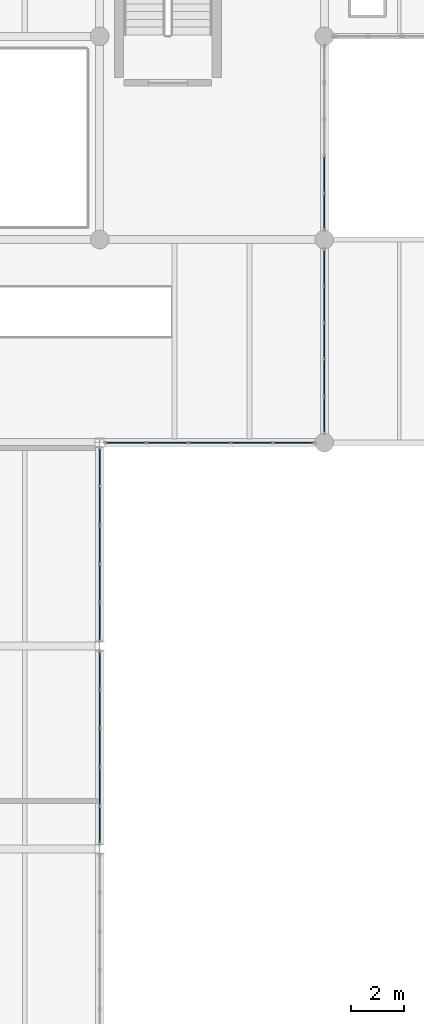
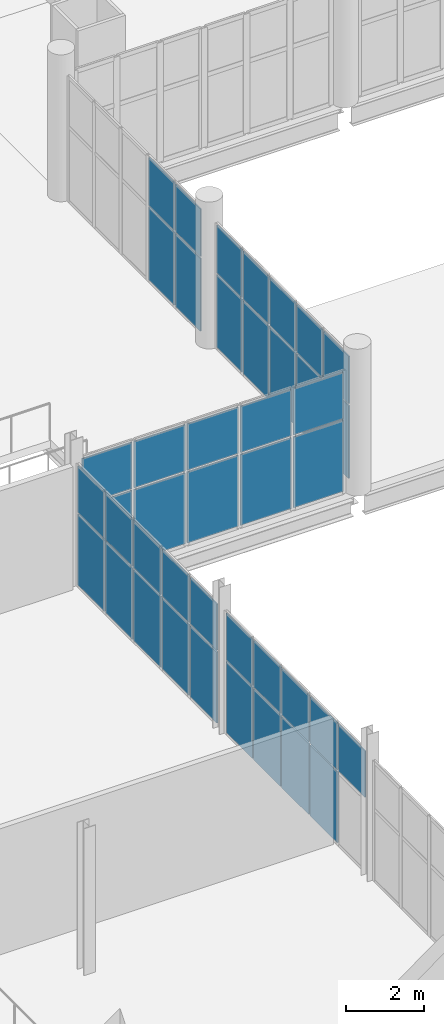
# One storey, part 99 of 136: 43 plates, 5 elements without a shape of their own.
"""IFC4 building model written with IfcOpenShell, lengths in metres."""

from ifc_helpers import new_model, si_unit, direction, frame, origin, origin_2d, place, context, subcontext, project, spatial, rectangle, extrude, material, layer, layer_set, type_object, element, aggregate, save


model = new_model("IFC4")

# Units and contexts
model_context = context("Model", 3, precision=1e-05, world=origin(), true_north=direction((0.0, 1.0)))
body_context = subcontext(model_context, "Body", "Model", "MODEL_VIEW")
ifc_project = project(units=[si_unit("LENGTHUNIT", "METRE"), si_unit("AREAUNIT", "SQUARE_METRE"), si_unit("VOLUMEUNIT", "CUBIC_METRE"), si_unit("PLANEANGLEUNIT", "RADIAN"), si_unit("MASSUNIT", "GRAM", prefix="KILO")], contexts=[model_context])

# Site, building, storey
site_placement = place(None, origin())
site = spatial("IfcSite", under=ifc_project, at=site_placement, CompositionType="ELEMENT")
building_placement = place(site_placement, origin())
building = spatial("IfcBuilding", under=site, at=building_placement, Name="Shengluoqiao Park Theatre", CompositionType="ELEMENT")
storey_placement = place(building_placement, frame((0.0, 0.0, 10.0)))
storey = spatial("IfcBuildingStorey", under=building, at=storey_placement, Name="L02", CompositionType="ELEMENT", Elevation=10.0)

# Curtain wall, plates
ifc_material_1 = material(Name="Aluminium 6063-T6", Category="aluminium")
curtain_wall_type_1 = type_object("IfcCurtainWallType", Name="ENV-CW-COURT", PredefinedType="NOTDEFINED", material=ifc_material_1)
curtain_wall_1_placement = place(storey_placement, origin())
curtain_wall_1 = element("IfcCurtainWall", 1, at=curtain_wall_1_placement, inside=storey, type_object=curtain_wall_type_1, Name="L02 Curtain Wall CWX-L02-0028", PredefinedType="NOTDEFINED")
ifc_material_2 = material(Name="Insulated glass", Category="glass")
ifc_layer = layer(ifc_material_2, 0.0380859375, Name="Insulated glass")
ifc_layer_set = layer_set([ifc_layer], Name="Insulated glass")
plate_type = type_object("IfcPlateType", Name="ENV-GLZ-GL-38", PredefinedType="CURTAIN_PANEL", material=ifc_layer_set)
plate_1_placement = place(storey_placement, frame((36.0, 38.915771484375, 2.33984375), z_axis=(0.0, 0.0, 1.0), x_axis=(0.0, 1.0, 0.0)))
plate_1 = element("IfcPlate", 2, at=plate_1_placement, type_object=plate_type, Name="CW-05 panel 1.2", PredefinedType="CURTAIN_PANEL", context=body_context, shape_type="SweptSolid", body=[
    extrude(rectangle(XDim=1.359619140625, YDim=0.0380859375, at=origin_2d()), origin(), (0.0, 0.0, 1.0), 1.449951171875),
])
plate_2_placement = place(storey_placement, frame((36.0, 40.350341796875, 0.06005859375), z_axis=(0.0, 0.0, 1.0), x_axis=(0.0, 1.0, 0.0)))
plate_2 = element("IfcPlate", 3, at=plate_2_placement, type_object=plate_type, Name="CW-05 panel 2.1", PredefinedType="CURTAIN_PANEL", context=body_context, shape_type="SweptSolid", body=[
    extrude(rectangle(XDim=1.3896484375, YDim=0.0380859375, at=origin_2d()), origin(), (0.0, 0.0, 1.0), 2.219970703125),
])
plate_3_placement = place(storey_placement, frame((36.0, 40.350341796875, 2.33984375), z_axis=(0.0, 0.0, 1.0), x_axis=(0.0, 1.0, 0.0)))
plate_3 = element("IfcPlate", 4, at=plate_3_placement, type_object=plate_type, Name="CW-05 panel 2.2", PredefinedType="CURTAIN_PANEL", context=body_context, shape_type="SweptSolid", body=[
    extrude(rectangle(XDim=1.3896484375, YDim=0.0380859375, at=origin_2d()), origin(), (0.0, 0.0, 1.0), 1.449951171875),
])
plate_4_placement = place(storey_placement, frame((36.0, 41.800048828125, 0.06005859375), z_axis=(0.0, 0.0, 1.0), x_axis=(0.0, 1.0, 0.0)))
plate_4 = element("IfcPlate", 5, at=plate_4_placement, type_object=plate_type, Name="CW-05 panel 3.1", PredefinedType="CURTAIN_PANEL", context=body_context, shape_type="SweptSolid", body=[
    extrude(rectangle(XDim=1.3896484375, YDim=0.0380859375, at=origin_2d()), origin(), (0.0, 0.0, 1.0), 2.219970703125),
])
plate_5_placement = place(storey_placement, frame((36.0, 41.800048828125, 2.33984375), z_axis=(0.0, 0.0, 1.0), x_axis=(0.0, 1.0, 0.0)))
plate_5 = element("IfcPlate", 6, at=plate_5_placement, type_object=plate_type, Name="CW-05 panel 3.2", PredefinedType="CURTAIN_PANEL", context=body_context, shape_type="SweptSolid", body=[
    extrude(rectangle(XDim=1.3896484375, YDim=0.0380859375, at=origin_2d()), origin(), (0.0, 0.0, 1.0), 1.449951171875),
])
plate_6_placement = place(storey_placement, frame((36.0, 43.24951171875, 0.06005859375), z_axis=(0.0, 0.0, 1.0), x_axis=(0.0, 1.0, 0.0)))
plate_6 = element("IfcPlate", 7, at=plate_6_placement, type_object=plate_type, Name="CW-05 panel 4.1", PredefinedType="CURTAIN_PANEL", context=body_context, shape_type="SweptSolid", body=[
    extrude(rectangle(XDim=1.3896484375, YDim=0.0380859375, at=origin_2d()), origin(), (0.0, 0.0, 1.0), 2.219970703125),
])
plate_7_placement = place(storey_placement, frame((36.0, 43.24951171875, 2.33984375), z_axis=(0.0, 0.0, 1.0), x_axis=(0.0, 1.0, 0.0)))
plate_7 = element("IfcPlate", 8, at=plate_7_placement, type_object=plate_type, Name="CW-05 panel 4.2", PredefinedType="CURTAIN_PANEL", context=body_context, shape_type="SweptSolid", body=[
    extrude(rectangle(XDim=1.3896484375, YDim=0.0380859375, at=origin_2d()), origin(), (0.0, 0.0, 1.0), 1.449951171875),
])
plate_8_placement = place(storey_placement, frame((36.0, 44.68408203125, 0.06005859375), z_axis=(0.0, 0.0, 1.0), x_axis=(0.0, 1.0, 0.0)))
plate_8 = element("IfcPlate", 9, at=plate_8_placement, type_object=plate_type, Name="CW-05 panel 5.1", PredefinedType="CURTAIN_PANEL", context=body_context, shape_type="SweptSolid", body=[
    extrude(rectangle(XDim=1.359619140625, YDim=0.0380859375, at=origin_2d()), origin(), (0.0, 0.0, 1.0), 2.219970703125),
])
plate_9_placement = place(storey_placement, frame((36.0, 44.68408203125, 2.33984375), z_axis=(0.0, 0.0, 1.0), x_axis=(0.0, 1.0, 0.0)))
plate_9 = element("IfcPlate", 10, at=plate_9_placement, type_object=plate_type, Name="CW-05 panel 5.2", PredefinedType="CURTAIN_PANEL", context=body_context, shape_type="SweptSolid", body=[
    extrude(rectangle(XDim=1.359619140625, YDim=0.0380859375, at=origin_2d()), origin(), (0.0, 0.0, 1.0), 1.449951171875),
])
aggregate(curtain_wall_1, [plate_1, plate_2, plate_3, plate_4, plate_5, plate_6, plate_7, plate_8, plate_9])

curtain_wall_2_placement = place(storey_placement, origin())
curtain_wall_2 = element("IfcCurtainWall", 11, at=curtain_wall_2_placement, inside=storey, type_object=curtain_wall_type_1, Name="L02 Curtain Wall CWX-L02-0029", PredefinedType="NOTDEFINED")
plate_10_placement = place(storey_placement, frame((36.0, 46.515869140625, 0.06005859375), z_axis=(0.0, 0.0, 1.0), x_axis=(0.0, 1.0, 0.0)))
plate_10 = element("IfcPlate", 12, at=plate_10_placement, type_object=plate_type, Name="CW-05 panel 1.1", PredefinedType="CURTAIN_PANEL", context=body_context, shape_type="SweptSolid", body=[
    extrude(rectangle(XDim=1.359619140625, YDim=0.0380859375, at=origin_2d()), origin(), (0.0, 0.0, 1.0), 2.219970703125),
])
plate_11_placement = place(storey_placement, frame((36.0, 46.515869140625, 2.33984375), z_axis=(0.0, 0.0, 1.0), x_axis=(0.0, 1.0, 0.0)))
plate_11 = element("IfcPlate", 13, at=plate_11_placement, type_object=plate_type, Name="CW-05 panel 1.2", PredefinedType="CURTAIN_PANEL", context=body_context, shape_type="SweptSolid", body=[
    extrude(rectangle(XDim=1.359619140625, YDim=0.0380859375, at=origin_2d()), origin(), (0.0, 0.0, 1.0), 1.449951171875),
])
plate_12_placement = place(storey_placement, frame((36.0, 47.950439453125, 0.06005859375), z_axis=(0.0, 0.0, 1.0), x_axis=(0.0, 1.0, 0.0)))
plate_12 = element("IfcPlate", 14, at=plate_12_placement, type_object=plate_type, Name="CW-05 panel 2.1", PredefinedType="CURTAIN_PANEL", context=body_context, shape_type="SweptSolid", body=[
    extrude(rectangle(XDim=1.3896484375, YDim=0.0380859375, at=origin_2d()), origin(), (0.0, 0.0, 1.0), 2.219970703125),
])
plate_13_placement = place(storey_placement, frame((36.0, 47.950439453125, 2.33984375), z_axis=(0.0, 0.0, 1.0), x_axis=(0.0, 1.0, 0.0)))
plate_13 = element("IfcPlate", 15, at=plate_13_placement, type_object=plate_type, Name="CW-05 panel 2.2", PredefinedType="CURTAIN_PANEL", context=body_context, shape_type="SweptSolid", body=[
    extrude(rectangle(XDim=1.3896484375, YDim=0.0380859375, at=origin_2d()), origin(), (0.0, 0.0, 1.0), 1.449951171875),
])
plate_14_placement = place(storey_placement, frame((36.0, 49.39990234375, 0.06005859375), z_axis=(0.0, 0.0, 1.0), x_axis=(0.0, 1.0, 0.0)))
plate_14 = element("IfcPlate", 16, at=plate_14_placement, type_object=plate_type, Name="CW-05 panel 3.1", PredefinedType="CURTAIN_PANEL", context=body_context, shape_type="SweptSolid", body=[
    extrude(rectangle(XDim=1.3896484375, YDim=0.0380859375, at=origin_2d()), origin(), (0.0, 0.0, 1.0), 2.219970703125),
])
plate_15_placement = place(storey_placement, frame((36.0, 49.39990234375, 2.33984375), z_axis=(0.0, 0.0, 1.0), x_axis=(0.0, 1.0, 0.0)))
plate_15 = element("IfcPlate", 17, at=plate_15_placement, type_object=plate_type, Name="CW-05 panel 3.2", PredefinedType="CURTAIN_PANEL", context=body_context, shape_type="SweptSolid", body=[
    extrude(rectangle(XDim=1.3896484375, YDim=0.0380859375, at=origin_2d()), origin(), (0.0, 0.0, 1.0), 1.449951171875),
])
plate_16_placement = place(storey_placement, frame((36.0, 50.849609375, 0.06005859375), z_axis=(0.0, 0.0, 1.0), x_axis=(0.0, 1.0, 0.0)))
plate_16 = element("IfcPlate", 18, at=plate_16_placement, type_object=plate_type, Name="CW-05 panel 4.1", PredefinedType="CURTAIN_PANEL", context=body_context, shape_type="SweptSolid", body=[
    extrude(rectangle(XDim=1.3896484375, YDim=0.0380859375, at=origin_2d()), origin(), (0.0, 0.0, 1.0), 2.219970703125),
])
plate_17_placement = place(storey_placement, frame((36.0, 50.849609375, 2.33984375), z_axis=(0.0, 0.0, 1.0), x_axis=(0.0, 1.0, 0.0)))
plate_17 = element("IfcPlate", 19, at=plate_17_placement, type_object=plate_type, Name="CW-05 panel 4.2", PredefinedType="CURTAIN_PANEL", context=body_context, shape_type="SweptSolid", body=[
    extrude(rectangle(XDim=1.3896484375, YDim=0.0380859375, at=origin_2d()), origin(), (0.0, 0.0, 1.0), 1.449951171875),
])
plate_18_placement = place(storey_placement, frame((36.0, 52.2841796875, 0.06005859375), z_axis=(0.0, 0.0, 1.0), x_axis=(0.0, 1.0, 0.0)))
plate_18 = element("IfcPlate", 20, at=plate_18_placement, type_object=plate_type, Name="CW-05 panel 5.1", PredefinedType="CURTAIN_PANEL", context=body_context, shape_type="SweptSolid", body=[
    extrude(rectangle(XDim=1.359619140625, YDim=0.0380859375, at=origin_2d()), origin(), (0.0, 0.0, 1.0), 2.219970703125),
])
plate_19_placement = place(storey_placement, frame((36.0, 52.2841796875, 2.33984375), z_axis=(0.0, 0.0, 1.0), x_axis=(0.0, 1.0, 0.0)))
plate_19 = element("IfcPlate", 21, at=plate_19_placement, type_object=plate_type, Name="CW-05 panel 5.2", PredefinedType="CURTAIN_PANEL", context=body_context, shape_type="SweptSolid", body=[
    extrude(rectangle(XDim=1.359619140625, YDim=0.0380859375, at=origin_2d()), origin(), (0.0, 0.0, 1.0), 1.449951171875),
])
aggregate(curtain_wall_2, [plate_10, plate_11, plate_12, plate_13, plate_14, plate_15, plate_16, plate_17, plate_18, plate_19])

curtain_wall_type_2 = type_object("IfcCurtainWallType", Name="ENV-CW-FOYER", PredefinedType="NOTDEFINED", material=ifc_material_1)
curtain_wall_3_placement = place(storey_placement, origin())
curtain_wall_3 = element("IfcCurtainWall", 22, at=curtain_wall_3_placement, inside=storey, type_object=curtain_wall_type_2, Name="L02 Curtain Wall CWX-L02-0214", PredefinedType="NOTDEFINED")
plate_20_placement = place(storey_placement, frame((36.979736328125, 53.199951171875, 0.06005859375), z_axis=(0.0, 0.0, 1.0), x_axis=(1.0, 0.0, 0.0)))
plate_20 = element("IfcPlate", 23, at=plate_20_placement, type_object=plate_type, Name="CW-01 panel 1.1", PredefinedType="CURTAIN_PANEL", context=body_context, shape_type="SweptSolid", body=[
    extrude(rectangle(XDim=1.483642578125, YDim=0.0380859375, at=origin_2d()), origin(), (0.0, 0.0, 1.0), 2.219970703125),
])
plate_21_placement = place(storey_placement, frame((36.979736328125, 53.199951171875, 2.33984375), z_axis=(0.0, 0.0, 1.0), x_axis=(1.0, 0.0, 0.0)))
plate_21 = element("IfcPlate", 24, at=plate_21_placement, type_object=plate_type, Name="CW-01 panel 1.2", PredefinedType="CURTAIN_PANEL", context=body_context, shape_type="SweptSolid", body=[
    extrude(rectangle(XDim=1.483642578125, YDim=0.0380859375, at=origin_2d()), origin(), (0.0, 0.0, 1.0), 1.449951171875),
])
plate_22_placement = place(storey_placement, frame((38.538330078125, 53.199951171875, 0.06005859375), z_axis=(0.0, 0.0, 1.0), x_axis=(1.0, 0.0, 0.0)))
plate_22 = element("IfcPlate", 25, at=plate_22_placement, type_object=plate_type, Name="CW-01 panel 2.1", PredefinedType="CURTAIN_PANEL", context=body_context, shape_type="SweptSolid", body=[
    extrude(rectangle(XDim=1.513671875, YDim=0.0380859375, at=origin_2d()), origin(), (0.0, 0.0, 1.0), 2.219970703125),
])
plate_23_placement = place(storey_placement, frame((38.538330078125, 53.199951171875, 2.33984375), z_axis=(0.0, 0.0, 1.0), x_axis=(1.0, 0.0, 0.0)))
plate_23 = element("IfcPlate", 26, at=plate_23_placement, type_object=plate_type, Name="CW-01 panel 2.2", PredefinedType="CURTAIN_PANEL", context=body_context, shape_type="SweptSolid", body=[
    extrude(rectangle(XDim=1.513671875, YDim=0.0380859375, at=origin_2d()), origin(), (0.0, 0.0, 1.0), 1.449951171875),
])
plate_24_placement = place(storey_placement, frame((40.112060546875, 53.199951171875, 0.06005859375), z_axis=(0.0, 0.0, 1.0), x_axis=(1.0, 0.0, 0.0)))
plate_24 = element("IfcPlate", 27, at=plate_24_placement, type_object=plate_type, Name="CW-01 panel 3.1", PredefinedType="CURTAIN_PANEL", context=body_context, shape_type="SweptSolid", body=[
    extrude(rectangle(XDim=1.513671875, YDim=0.0380859375, at=origin_2d()), origin(), (0.0, 0.0, 1.0), 2.219970703125),
])
plate_25_placement = place(storey_placement, frame((40.112060546875, 53.199951171875, 2.33984375), z_axis=(0.0, 0.0, 1.0), x_axis=(1.0, 0.0, 0.0)))
plate_25 = element("IfcPlate", 28, at=plate_25_placement, type_object=plate_type, Name="CW-01 panel 3.2", PredefinedType="CURTAIN_PANEL", context=body_context, shape_type="SweptSolid", body=[
    extrude(rectangle(XDim=1.513671875, YDim=0.0380859375, at=origin_2d()), origin(), (0.0, 0.0, 1.0), 1.449951171875),
])
plate_26_placement = place(storey_placement, frame((41.685546875, 53.199951171875, 0.06005859375), z_axis=(0.0, 0.0, 1.0), x_axis=(1.0, 0.0, 0.0)))
plate_26 = element("IfcPlate", 29, at=plate_26_placement, type_object=plate_type, Name="CW-01 panel 4.1", PredefinedType="CURTAIN_PANEL", context=body_context, shape_type="SweptSolid", body=[
    extrude(rectangle(XDim=1.513671875, YDim=0.0380859375, at=origin_2d()), origin(), (0.0, 0.0, 1.0), 2.219970703125),
])
plate_27_placement = place(storey_placement, frame((41.685546875, 53.199951171875, 2.33984375), z_axis=(0.0, 0.0, 1.0), x_axis=(1.0, 0.0, 0.0)))
plate_27 = element("IfcPlate", 30, at=plate_27_placement, type_object=plate_type, Name="CW-01 panel 4.2", PredefinedType="CURTAIN_PANEL", context=body_context, shape_type="SweptSolid", body=[
    extrude(rectangle(XDim=1.513671875, YDim=0.0380859375, at=origin_2d()), origin(), (0.0, 0.0, 1.0), 1.449951171875),
])
plate_28_placement = place(storey_placement, frame((43.244140625, 53.199951171875, 0.06005859375), z_axis=(0.0, 0.0, 1.0), x_axis=(1.0, 0.0, 0.0)))
plate_28 = element("IfcPlate", 31, at=plate_28_placement, type_object=plate_type, Name="CW-01 panel 5.1", PredefinedType="CURTAIN_PANEL", context=body_context, shape_type="SweptSolid", body=[
    extrude(rectangle(XDim=1.483642578125, YDim=0.0380859375, at=origin_2d()), origin(), (0.0, 0.0, 1.0), 2.219970703125),
])
plate_29_placement = place(storey_placement, frame((43.244140625, 53.199951171875, 2.33984375), z_axis=(0.0, 0.0, 1.0), x_axis=(1.0, 0.0, 0.0)))
plate_29 = element("IfcPlate", 32, at=plate_29_placement, type_object=plate_type, Name="CW-01 panel 5.2", PredefinedType="CURTAIN_PANEL", context=body_context, shape_type="SweptSolid", body=[
    extrude(rectangle(XDim=1.483642578125, YDim=0.0380859375, at=origin_2d()), origin(), (0.0, 0.0, 1.0), 1.449951171875),
])
aggregate(curtain_wall_3, [plate_20, plate_21, plate_22, plate_23, plate_24, plate_25, plate_26, plate_27, plate_28, plate_29])

curtain_wall_4_placement = place(storey_placement, origin())
curtain_wall_4 = element("IfcCurtainWall", 33, at=curtain_wall_4_placement, inside=storey, type_object=curtain_wall_type_1, Name="L02 Curtain Wall CWX-L02-0215", PredefinedType="NOTDEFINED")
plate_30_placement = place(storey_placement, frame((44.39990234375, 54.25830078125, 0.06005859375), z_axis=(0.0, 0.0, 1.0), x_axis=(0.0, 1.0, 0.0)))
plate_30 = element("IfcPlate", 34, at=plate_30_placement, type_object=plate_type, Name="CW-05 panel 1.1", PredefinedType="CURTAIN_PANEL", context=body_context, shape_type="SweptSolid", body=[
    extrude(rectangle(XDim=1.288330078125, YDim=0.0380859375, at=origin_2d()), origin(), (0.0, 0.0, 1.0), 2.279052734375),
])
plate_31_placement = place(storey_placement, frame((44.39990234375, 54.25830078125, 2.39892578125), z_axis=(0.0, 0.0, 1.0), x_axis=(0.0, 1.0, 0.0)))
plate_31 = element("IfcPlate", 35, at=plate_31_placement, type_object=plate_type, Name="CW-05 panel 1.2", PredefinedType="CURTAIN_PANEL", context=body_context, shape_type="SweptSolid", body=[
    extrude(rectangle(XDim=1.288330078125, YDim=0.0380859375, at=origin_2d()), origin(), (0.0, 0.0, 1.0), 1.489013671875),
])
plate_32_placement = place(storey_placement, frame((44.39990234375, 55.62158203125, 0.06005859375), z_axis=(0.0, 0.0, 1.0), x_axis=(0.0, 1.0, 0.0)))
plate_32 = element("IfcPlate", 36, at=plate_32_placement, type_object=plate_type, Name="CW-05 panel 2.1", PredefinedType="CURTAIN_PANEL", context=body_context, shape_type="SweptSolid", body=[
    extrude(rectangle(XDim=1.318359375, YDim=0.0380859375, at=origin_2d()), origin(), (0.0, 0.0, 1.0), 2.279052734375),
])
plate_33_placement = place(storey_placement, frame((44.39990234375, 55.62158203125, 2.39892578125), z_axis=(0.0, 0.0, 1.0), x_axis=(0.0, 1.0, 0.0)))
plate_33 = element("IfcPlate", 37, at=plate_33_placement, type_object=plate_type, Name="CW-05 panel 2.2", PredefinedType="CURTAIN_PANEL", context=body_context, shape_type="SweptSolid", body=[
    extrude(rectangle(XDim=1.318359375, YDim=0.0380859375, at=origin_2d()), origin(), (0.0, 0.0, 1.0), 1.489013671875),
])
plate_34_placement = place(storey_placement, frame((44.39990234375, 57.0, 0.06005859375), z_axis=(0.0, 0.0, 1.0), x_axis=(0.0, 1.0, 0.0)))
plate_34 = element("IfcPlate", 38, at=plate_34_placement, type_object=plate_type, Name="CW-05 panel 3.1", PredefinedType="CURTAIN_PANEL", context=body_context, shape_type="SweptSolid", body=[
    extrude(rectangle(XDim=1.318359375, YDim=0.0380859375, at=origin_2d()), origin(), (0.0, 0.0, 1.0), 2.279052734375),
])
plate_35_placement = place(storey_placement, frame((44.39990234375, 57.0, 2.39892578125), z_axis=(0.0, 0.0, 1.0), x_axis=(0.0, 1.0, 0.0)))
plate_35 = element("IfcPlate", 39, at=plate_35_placement, type_object=plate_type, Name="CW-05 panel 3.2", PredefinedType="CURTAIN_PANEL", context=body_context, shape_type="SweptSolid", body=[
    extrude(rectangle(XDim=1.318359375, YDim=0.0380859375, at=origin_2d()), origin(), (0.0, 0.0, 1.0), 1.489013671875),
])
plate_36_placement = place(storey_placement, frame((44.39990234375, 58.37841796875, 0.06005859375), z_axis=(0.0, 0.0, 1.0), x_axis=(0.0, 1.0, 0.0)))
plate_36 = element("IfcPlate", 40, at=plate_36_placement, type_object=plate_type, Name="CW-05 panel 4.1", PredefinedType="CURTAIN_PANEL", context=body_context, shape_type="SweptSolid", body=[
    extrude(rectangle(XDim=1.318359375, YDim=0.0380859375, at=origin_2d()), origin(), (0.0, 0.0, 1.0), 2.279052734375),
])
plate_37_placement = place(storey_placement, frame((44.39990234375, 58.37841796875, 2.39892578125), z_axis=(0.0, 0.0, 1.0), x_axis=(0.0, 1.0, 0.0)))
plate_37 = element("IfcPlate", 41, at=plate_37_placement, type_object=plate_type, Name="CW-05 panel 4.2", PredefinedType="CURTAIN_PANEL", context=body_context, shape_type="SweptSolid", body=[
    extrude(rectangle(XDim=1.318359375, YDim=0.0380859375, at=origin_2d()), origin(), (0.0, 0.0, 1.0), 1.489013671875),
])
plate_38_placement = place(storey_placement, frame((44.39990234375, 59.74169921875, 0.06005859375), z_axis=(0.0, 0.0, 1.0), x_axis=(0.0, 1.0, 0.0)))
plate_38 = element("IfcPlate", 42, at=plate_38_placement, type_object=plate_type, Name="CW-05 panel 5.1", PredefinedType="CURTAIN_PANEL", context=body_context, shape_type="SweptSolid", body=[
    extrude(rectangle(XDim=1.288330078125, YDim=0.0380859375, at=origin_2d()), origin(), (0.0, 0.0, 1.0), 2.279052734375),
])
plate_39_placement = place(storey_placement, frame((44.39990234375, 59.74169921875, 2.39892578125), z_axis=(0.0, 0.0, 1.0), x_axis=(0.0, 1.0, 0.0)))
plate_39 = element("IfcPlate", 43, at=plate_39_placement, type_object=plate_type, Name="CW-05 panel 5.2", PredefinedType="CURTAIN_PANEL", context=body_context, shape_type="SweptSolid", body=[
    extrude(rectangle(XDim=1.288330078125, YDim=0.0380859375, at=origin_2d()), origin(), (0.0, 0.0, 1.0), 1.489013671875),
])
aggregate(curtain_wall_4, [plate_30, plate_31, plate_32, plate_33, plate_34, plate_35, plate_36, plate_37, plate_38, plate_39])

curtain_wall_5_placement = place(storey_placement, origin())
curtain_wall_5 = element("IfcCurtainWall", 44, at=curtain_wall_5_placement, inside=storey, type_object=curtain_wall_type_1, Name="L02 Curtain Wall CWX-L02-0216", PredefinedType="NOTDEFINED")
plate_40_placement = place(storey_placement, frame((44.39990234375, 61.858154296875, 0.06005859375), z_axis=(0.0, 0.0, 1.0), x_axis=(0.0, 1.0, 0.0)))
plate_40 = element("IfcPlate", 45, at=plate_40_placement, type_object=plate_type, Name="CW-05 panel 1.1", PredefinedType="CURTAIN_PANEL", context=body_context, shape_type="SweptSolid", body=[
    extrude(rectangle(XDim=1.288330078125, YDim=0.0380859375, at=origin_2d()), origin(), (0.0, 0.0, 1.0), 2.279052734375),
])
plate_41_placement = place(storey_placement, frame((44.39990234375, 61.858154296875, 2.39892578125), z_axis=(0.0, 0.0, 1.0), x_axis=(0.0, 1.0, 0.0)))
plate_41 = element("IfcPlate", 46, at=plate_41_placement, type_object=plate_type, Name="CW-05 panel 1.2", PredefinedType="CURTAIN_PANEL", context=body_context, shape_type="SweptSolid", body=[
    extrude(rectangle(XDim=1.288330078125, YDim=0.0380859375, at=origin_2d()), origin(), (0.0, 0.0, 1.0), 1.489013671875),
])
plate_42_placement = place(storey_placement, frame((44.39990234375, 63.2216796875, 0.06005859375), z_axis=(0.0, 0.0, 1.0), x_axis=(0.0, 1.0, 0.0)))
plate_42 = element("IfcPlate", 47, at=plate_42_placement, type_object=plate_type, Name="CW-05 panel 2.1", PredefinedType="CURTAIN_PANEL", context=body_context, shape_type="SweptSolid", body=[
    extrude(rectangle(XDim=1.318359375, YDim=0.0380859375, at=origin_2d()), origin(), (0.0, 0.0, 1.0), 2.279052734375),
])
plate_43_placement = place(storey_placement, frame((44.39990234375, 63.2216796875, 2.39892578125), z_axis=(0.0, 0.0, 1.0), x_axis=(0.0, 1.0, 0.0)))
plate_43 = element("IfcPlate", 48, at=plate_43_placement, type_object=plate_type, Name="CW-05 panel 2.2", PredefinedType="CURTAIN_PANEL", context=body_context, shape_type="SweptSolid", body=[
    extrude(rectangle(XDim=1.318359375, YDim=0.0380859375, at=origin_2d()), origin(), (0.0, 0.0, 1.0), 1.489013671875),
])
aggregate(curtain_wall_5, [plate_40, plate_41, plate_42, plate_43])

save(model, "model.ifc")
